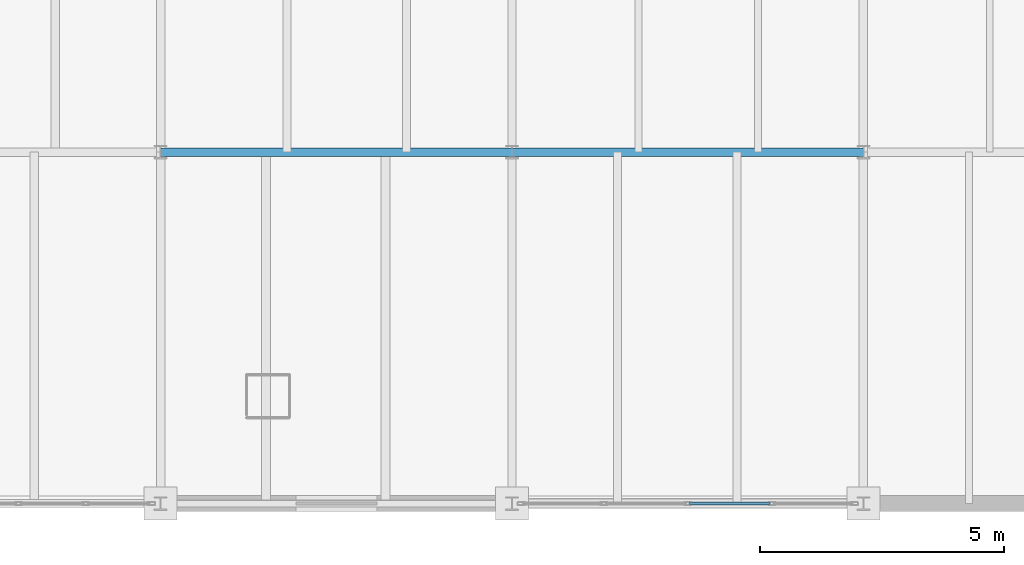
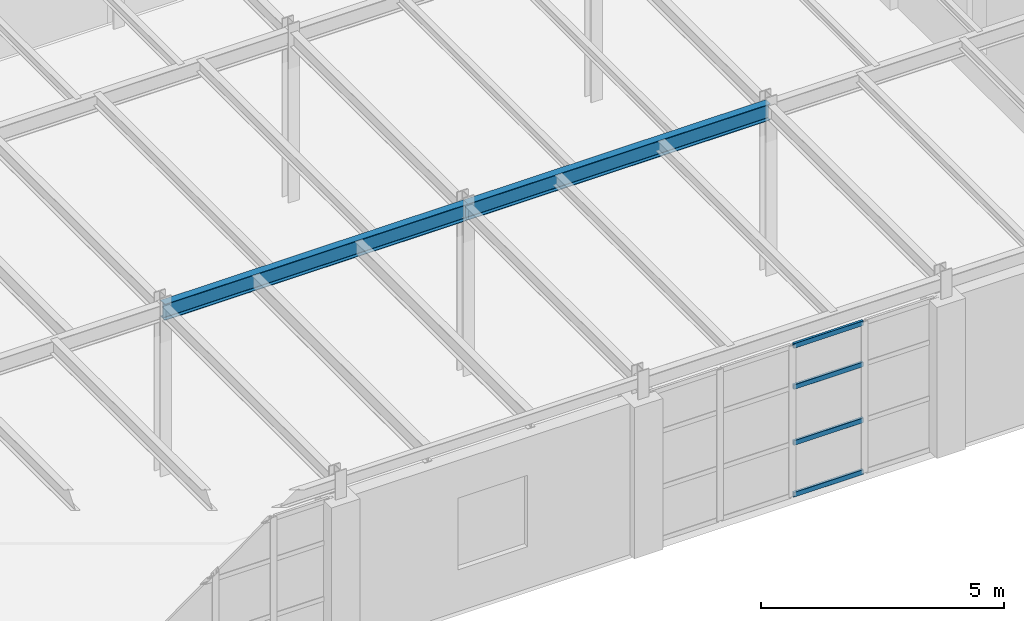
# One storey, part 24 of 101: 4 members, 2 beams, 1 element without a shape of its own.
"""IFC4 building model written with IfcOpenShell, lengths in metres."""

from ifc_helpers import new_model, si_unit, direction, frame, origin, origin_2d, place, context, subcontext, project, spatial, hollow_rectangle, i_section, extrude, material, layer, layer_set, material_profile, profile_set, type_object, element, aggregate, save


model = new_model("IFC4")

# Units and contexts
model_context = context("Model", 3, precision=1e-05, world=origin(), true_north=direction((0.0, 1.0)))
body_context = subcontext(model_context, "Body", "Model", "MODEL_VIEW")
ifc_project = project(units=[si_unit("LENGTHUNIT", "METRE"), si_unit("AREAUNIT", "SQUARE_METRE"), si_unit("VOLUMEUNIT", "CUBIC_METRE"), si_unit("PLANEANGLEUNIT", "RADIAN"), si_unit("MASSUNIT", "GRAM", prefix="KILO")], contexts=[model_context])

# Site, building, storey
site_placement = place(None, origin())
site = spatial("IfcSite", under=ifc_project, at=site_placement, CompositionType="ELEMENT")
building_placement = place(site_placement, origin())
building = spatial("IfcBuilding", under=site, at=building_placement, Name="Kemerveld Promenade Tramway Depot", CompositionType="ELEMENT")
storey_placement = place(building_placement, frame((0.0, 0.0, 9.89990234375)))
storey = spatial("IfcBuildingStorey", under=building, at=storey_placement, Name="L02", CompositionType="ELEMENT", Elevation=9.89990234375)

# Beams
ifc_material_1 = material(Name="Steel S355", Category="steel")
ifc_material_profile_1 = material_profile(ifc_material_1, i_section(OverallWidth=0.1787109375, OverallDepth=0.409423828125, WebThickness=0.0087890625, FlangeThickness=0.014404296875, FilletRadius=0.01025390625, at=origin_2d()), Name="406x178x67 UB")
ifc_profile_set_1 = profile_set([ifc_material_profile_1], Name="Steel S355")
beam_type = type_object("IfcBeamType", Name="BM-G07", PredefinedType="BEAM", material=ifc_profile_set_1)
for number, where, z_axis, x_axis, name in (
    (1, (28.800048828125, 7.199951171875, 4.080322265625), (1.0, 0.0, 0.0), (0.0, 1.0, 0.0), "BMX-L02-05-06-B"),
    (2, (36.0, 7.199951171875, 4.080322265625), (1.0, 0.0, 0.0), (0.0, 1.0, 0.0), "BMX-L02-06-07-B"),
):
    element("IfcBeam", number, at=place(storey_placement, frame(where, z_axis=z_axis, x_axis=x_axis)), inside=storey, type_object=beam_type, Name=name, PredefinedType="BEAM", context=body_context, shape_type="SweptSolid", body=[
        extrude(i_section(OverallWidth=0.1787109375, OverallDepth=0.409423828125, WebThickness=0.0087890625, FlangeThickness=0.014404296875, FilletRadius=0.01025390625, at=origin_2d()), origin(), (0.0, 0.0, 1.0), 7.199951171875),
    ])

# Curtain wall, members
ifc_material_2 = material(Name="Bronze anodised aluminium and solar glass", Category="aluminium")
ifc_layer = layer(ifc_material_2, 0.159912109375)
ifc_layer_set = layer_set([ifc_layer], Name="CW-SYS-05")
curtain_wall_type = type_object("IfcCurtainWallType", Name="CW-SYS-05", PredefinedType="USERDEFINED", material=ifc_layer_set)
curtain_wall_placement = place(storey_placement, origin())
curtain_wall = element("IfcCurtainWall", 3, at=curtain_wall_placement, inside=storey, type_object=curtain_wall_type, Name="CW-L02-V5S-02", ObjectType="GLAZED_CURTAIN_WALL", PredefinedType="USERDEFINED")
ifc_material_3 = material(Name="Bronze anodised aluminium", Category="aluminium")
ifc_material_profile_2 = material_profile(ifc_material_3, hollow_rectangle(XDim=0.06005859375, YDim=0.1201171875, WallThickness=0.00390625, InnerFilletRadius=0.001953125, OuterFilletRadius=0.00390625, at=origin_2d()), Name="CW-TRN-120x60")
ifc_profile_set_2 = profile_set([ifc_material_profile_2], Name="Bronze anodised aluminium")
member_type = type_object("IfcMemberType", Name="CW-TRN-A", PredefinedType="USERDEFINED", material=ifc_profile_set_2)
member_1_placement = place(storey_placement, frame((41.288330078125, 0.0, 0.030029296875), z_axis=(-1.0, 0.0, 0.0), x_axis=(0.0, -1.0, 0.0)))
member_1 = element("IfcMember", 4, at=member_1_placement, type_object=member_type, Name="CW05 transom 2.1", ObjectType="TRANSOM", PredefinedType="USERDEFINED", context=body_context, shape_type="SweptSolid", body=[
    extrude(hollow_rectangle(XDim=0.06005859375, YDim=0.1201171875, WallThickness=0.00390625, InnerFilletRadius=0.001953125, OuterFilletRadius=0.00390625, at=origin_2d()), origin(), (0.0, 0.0, 1.0), 1.65576171875),
])
member_2_placement = place(storey_placement, frame((41.288330078125, 0.0, 1.330078125), z_axis=(-1.0, 0.0, 0.0), x_axis=(0.0, -1.0, 0.0)))
member_2 = element("IfcMember", 5, at=member_2_placement, type_object=member_type, Name="CW05 transom 2.2", ObjectType="TRANSOM", PredefinedType="USERDEFINED", context=body_context, shape_type="SweptSolid", body=[
    extrude(hollow_rectangle(XDim=0.06005859375, YDim=0.1201171875, WallThickness=0.00390625, InnerFilletRadius=0.001953125, OuterFilletRadius=0.00390625, at=origin_2d()), origin(), (0.0, 0.0, 1.0), 1.65576171875),
])
member_3_placement = place(storey_placement, frame((41.288330078125, 0.0, 2.736083984375), z_axis=(-1.0, 0.0, 0.0), x_axis=(0.0, -1.0, 0.0)))
member_3 = element("IfcMember", 6, at=member_3_placement, type_object=member_type, Name="CW05 transom 2.3", ObjectType="TRANSOM", PredefinedType="USERDEFINED", context=body_context, shape_type="SweptSolid", body=[
    extrude(hollow_rectangle(XDim=0.06005859375, YDim=0.1201171875, WallThickness=0.00390625, InnerFilletRadius=0.001953125, OuterFilletRadius=0.00390625, at=origin_2d()), origin(), (0.0, 0.0, 1.0), 1.65576171875),
])
member_4_placement = place(storey_placement, frame((41.288330078125, 0.0, 3.77001953125), z_axis=(-1.0, 0.0, 0.0), x_axis=(0.0, -1.0, 0.0)))
member_4 = element("IfcMember", 7, at=member_4_placement, type_object=member_type, Name="CW05 transom 2.4", ObjectType="TRANSOM", PredefinedType="USERDEFINED", context=body_context, shape_type="SweptSolid", body=[
    extrude(hollow_rectangle(XDim=0.06005859375, YDim=0.1201171875, WallThickness=0.00390625, InnerFilletRadius=0.001953125, OuterFilletRadius=0.00390625, at=origin_2d()), origin(), (0.0, 0.0, 1.0), 1.65576171875),
])
aggregate(curtain_wall, [member_1, member_2, member_3, member_4])

save(model, "model.ifc")
